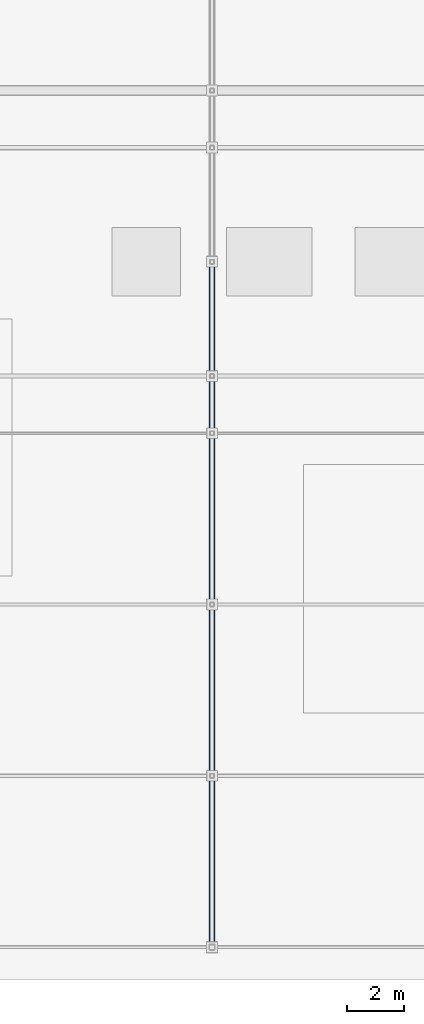
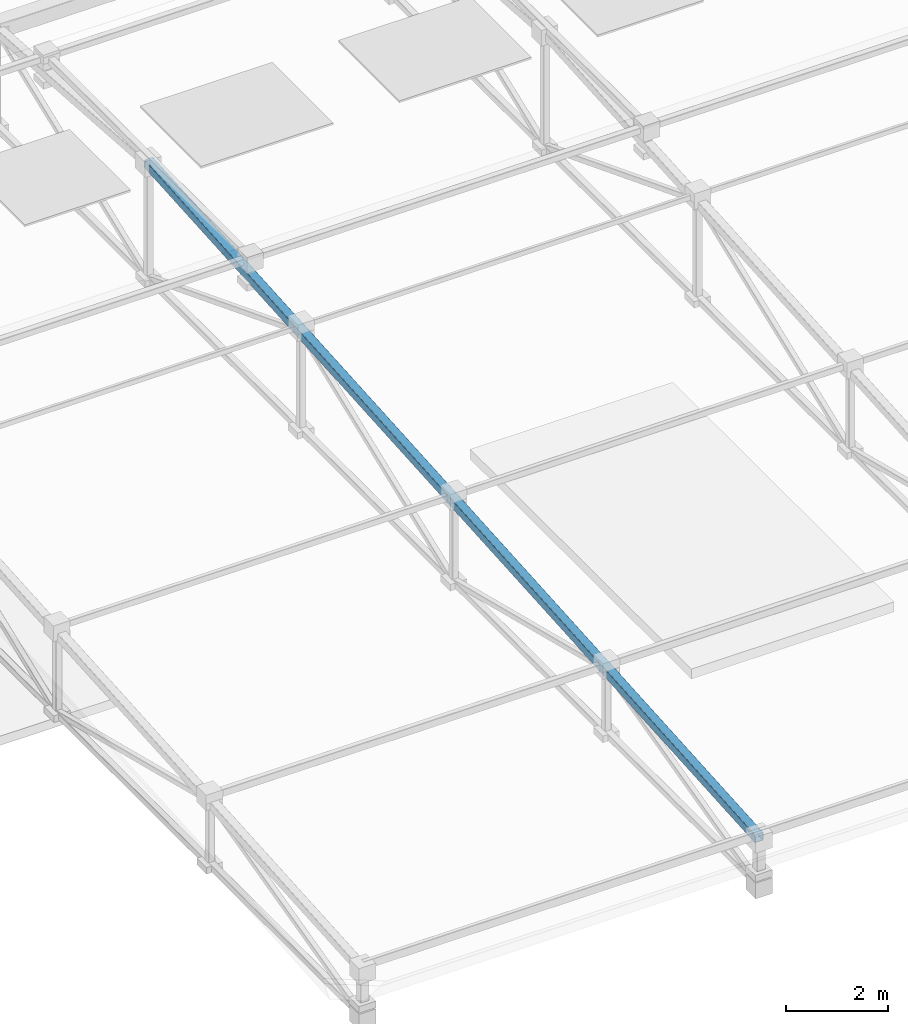
# One storey, part 18 of 85: 1 beam.
"""IFC4 building model written with IfcOpenShell, lengths in metres."""

from ifc_helpers import new_model, si_unit, direction, frame, origin, origin_2d, place, context, subcontext, project, spatial, hollow_rectangle, extrude, material, material_profile, profile_set, type_object, element, save


model = new_model("IFC4")

# Units and contexts
model_context = context("Model", 3, precision=1e-05, world=origin(), true_north=direction((0.0, 1.0)))
body_context = subcontext(model_context, "Body", "Model", "MODEL_VIEW")
ifc_project = project(units=[si_unit("LENGTHUNIT", "METRE"), si_unit("AREAUNIT", "SQUARE_METRE"), si_unit("VOLUMEUNIT", "CUBIC_METRE"), si_unit("PLANEANGLEUNIT", "RADIAN"), si_unit("MASSUNIT", "GRAM", prefix="KILO"), si_unit("THERMODYNAMICTEMPERATUREUNIT", "KELVIN"), si_unit("POWERUNIT", "WATT")], contexts=[model_context])

# Site, building, storey
site_placement = place(None, origin())
site = spatial("IfcSite", under=ifc_project, at=site_placement, CompositionType="ELEMENT")
building_placement = place(site_placement, origin())
building = spatial("IfcBuilding", under=site, at=building_placement, Name="Zelmaris Science Centre", CompositionType="ELEMENT")
storey_placement = place(building_placement, frame((0.0, 0.0, 20.39990234375)))
storey = spatial("IfcBuildingStorey", under=building, at=storey_placement, Name="L04", CompositionType="ELEMENT", Elevation=20.39990234375)

# Beam
ifc_material = material(Name="Steel ASTM A500 Grade C", Category="steel")
ifc_material_profile = material_profile(ifc_material, hollow_rectangle(XDim=0.203125, YDim=0.203125, WallThickness=0.01171875, InnerFilletRadius=0.01171875, OuterFilletRadius=0.023681640625, at=origin_2d()), Name="HSS203X203X13")
ifc_profile_set = profile_set([ifc_material_profile], Name="Steel ASTM A500 Grade C")
beam_type = type_object("IfcBeamType", Name="Beam G-20 HSS203X203X13", PredefinedType="BEAM", material=ifc_profile_set)
beam_placement = place(storey_placement, frame((117.0, 8.0, 2.0478515625), z_axis=(0.0, 0.997644646858, 0.068594158611), x_axis=(-1.0, 0.0, 0.0)))
element("IfcBeam", 1, at=beam_placement, inside=storey, type_object=beam_type, Name="RF-V4 Roof truss 2 south top chord", PredefinedType="BEAM", context=body_context, shape_type="SweptSolid", body=[
    extrude(hollow_rectangle(XDim=0.203125, YDim=0.203125, WallThickness=0.01171875, InnerFilletRadius=0.01171875, OuterFilletRadius=0.023681640625, at=origin_2d()), origin(), (0.0, 0.0, 1.0), 24.056640625),
])

save(model, "model.ifc")
